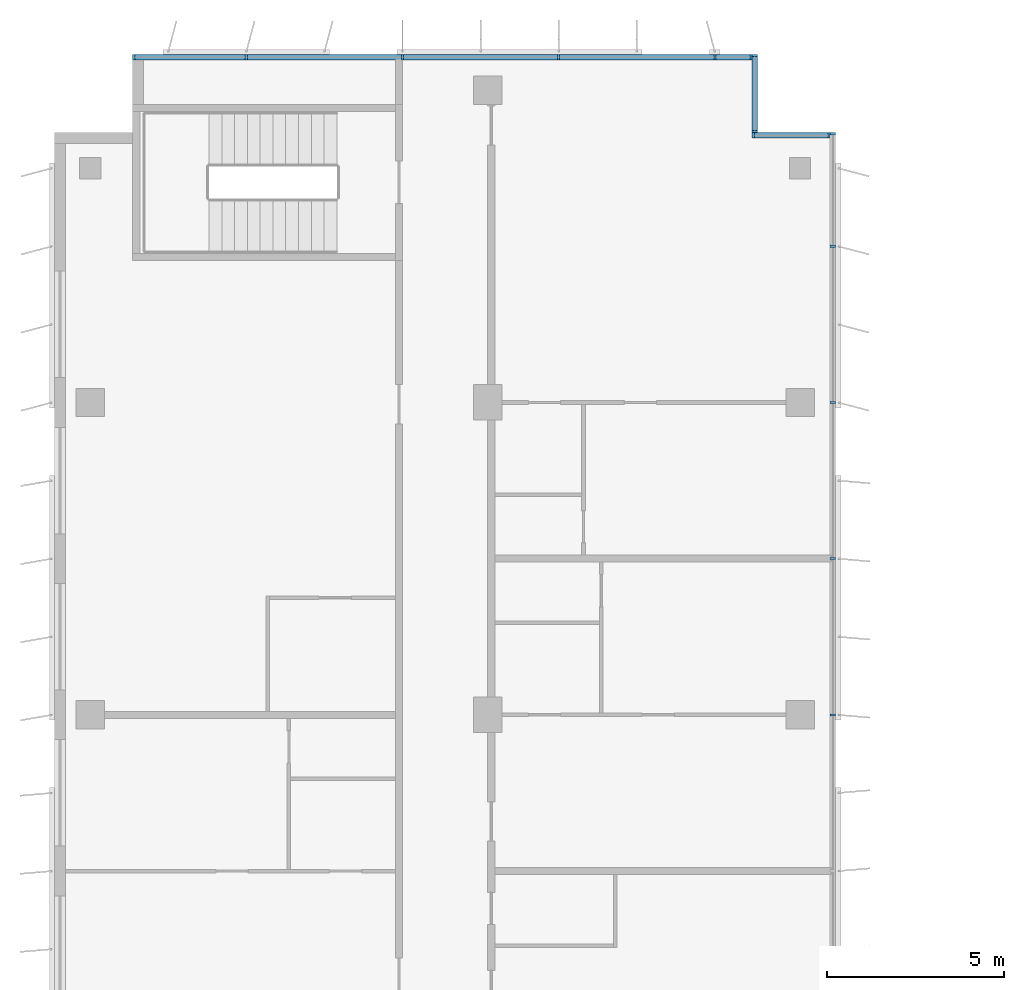
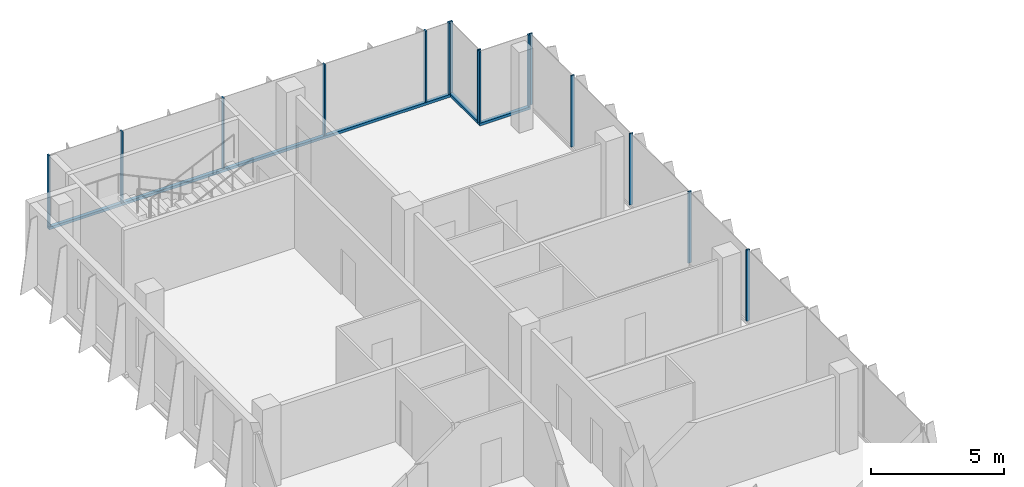
# One storey, part 6 of 16: 18 members, 4 elements without a shape of their own.
"""IFC4 building model written with IfcOpenShell, lengths in metres."""

from ifc_helpers import new_model, si_unit, direction, frame, origin, origin_2d, place, context, subcontext, project, spatial, rectangle, extrude, source, transform, mapped, material, material_profile, profile_set, type_object, element, aggregate, save


model = new_model("IFC4")

# Units and contexts
model_context = context("Model", 3, precision=1e-05, world=origin(), true_north=direction((0.0, 1.0)))
body_context = subcontext(model_context, "Body", "Model", "MODEL_VIEW")
ifc_project = project(units=[si_unit("LENGTHUNIT", "METRE"), si_unit("AREAUNIT", "SQUARE_METRE"), si_unit("VOLUMEUNIT", "CUBIC_METRE"), si_unit("PLANEANGLEUNIT", "RADIAN"), si_unit("MASSUNIT", "GRAM", prefix="KILO")], contexts=[model_context])

# Site, building, storey
site_placement = place(None, origin())
site = spatial("IfcSite", under=ifc_project, at=site_placement, CompositionType="ELEMENT")
building_placement = place(site_placement, origin())
building = spatial("IfcBuilding", under=site, at=building_placement, Name="Kemantara Hotel Tower", CompositionType="ELEMENT")
storey_placement = place(building_placement, frame((0.0, 0.0, 287.0)))
storey = spatial("IfcBuildingStorey", under=building, at=storey_placement, Name="L72", CompositionType="ELEMENT", Elevation=287.0)

# Curtain wall, member
ifc_material_1 = material(Name="Low-E tinted double insulated glass 36 mm", Category="glass")
curtain_wall_type = type_object("IfcCurtainWallType", Name="TOWER CURTAIN WALL, FRONT FACES", PredefinedType="USERDEFINED", material=ifc_material_1)
curtain_wall_1_placement = place(storey_placement, origin())
curtain_wall_1 = element("IfcCurtainWall", 1, at=curtain_wall_1_placement, inside=storey, type_object=curtain_wall_type, Name="CW4 L72 T4-R02-1", ObjectType="TOWER CURTAIN WALL, FRONT FACES", PredefinedType="USERDEFINED")
ifc_material_2 = material(Name="Aluminium 6063-T6 bronze anodised", Category="aluminium")
ifc_material_profile_1 = material_profile(ifc_material_2, rectangle(XDim=0.14990234375, YDim=0.1201171875, at=origin_2d()), Name="TOWER CURTAIN WALL, FRONT FACES TRANSOM")
ifc_profile_set_1 = profile_set([ifc_material_profile_1], Name="Aluminium 6063-T6 bronze anodised")
member_type_1 = type_object("IfcMemberType", Name="TOWER CURTAIN WALL, FRONT FACES TRANSOM", PredefinedType="USERDEFINED", material=ifc_profile_set_1)
member_1_placement = place(storey_placement, frame((19.64990234375, 63.52490234375, 0.06005859375), z_axis=(-1.0, 0.0, 0.0), x_axis=(0.0, -1.0, 0.0)))
member_1 = element("IfcMember", 2, at=member_1_placement, type_object=member_type_1, Name="CW4 sill transom T4-R02-1", ObjectType="TRANSOM", PredefinedType="USERDEFINED", context=body_context, shape_type="SweptSolid", body=[
    extrude(rectangle(XDim=0.14990234375, YDim=0.1201171875, at=origin_2d()), origin(), (0.0, 0.0, 1.0), 17.449951171875),
])

curtain_wall_2_placement = place(storey_placement, origin())
curtain_wall_2 = element("IfcCurtainWall", 3, at=curtain_wall_2_placement, inside=storey, type_object=curtain_wall_type, Name="CW4 L72 T4-R00-1", ObjectType="TOWER CURTAIN WALL, FRONT FACES", PredefinedType="USERDEFINED")
member_2_placement = place(storey_placement, frame((21.85009765625, 61.324951171875, 0.06005859375), z_axis=(-1.0, 0.0, 0.0), x_axis=(0.0, -1.0, 0.0)))
member_2 = element("IfcMember", 4, at=member_2_placement, type_object=member_type_1, Name="CW4 sill transom T4-R00-1", ObjectType="TRANSOM", PredefinedType="USERDEFINED", context=body_context, shape_type="SweptSolid", body=[
    extrude(rectangle(XDim=0.14990234375, YDim=0.1201171875, at=origin_2d()), origin(), (0.0, 0.0, 1.0), 2.2001953125),
])

curtain_wall_3_placement = place(storey_placement, origin())
curtain_wall_3 = element("IfcCurtainWall", 5, at=curtain_wall_3_placement, inside=storey, type_object=curtain_wall_type, Name="CW4 L72 T4-R01-1", ObjectType="TOWER CURTAIN WALL, FRONT FACES", PredefinedType="USERDEFINED")
member_3_placement = place(storey_placement, frame((19.72509765625, 61.39990234375, 0.06005859375), z_axis=(0.0, 1.0, 0.0), x_axis=(-1.0, 0.0, 0.0)))
member_3 = element("IfcMember", 6, at=member_3_placement, type_object=member_type_1, Name="CW4 sill transom T4-R01-1", ObjectType="TRANSOM", PredefinedType="USERDEFINED", context=body_context, shape_type="SweptSolid", body=[
    extrude(rectangle(XDim=0.14990234375, YDim=0.1201171875, at=origin_2d()), origin(), (0.0, 0.0, 1.0), 2.2001953125),
])

# Member
ifc_material_profile_2 = material_profile(ifc_material_2, rectangle(XDim=0.14990234375, YDim=0.06005859375, at=origin_2d()), Name="TOWER CURTAIN WALL, FRONT FACES MULLION")
ifc_profile_set_2 = profile_set([ifc_material_profile_2], Name="Aluminium 6063-T6 bronze anodised")
member_type_2 = type_object("IfcMemberType", Name="TOWER CURTAIN WALL, FRONT FACES MULLION", PredefinedType="MULLION", material=ifc_profile_set_2)
shared_shape = source(origin(), body_context, "Body", "SweptSolid", [
    extrude(rectangle(XDim=0.14990234375, YDim=0.06005859375, at=origin_2d()), origin(), (0.0, 0.0, 1.0), 3.27978515625),
])
member_4_placement = place(storey_placement, frame((19.6201171875, 63.52490234375, 0.1201171875), z_axis=(0.0, 0.0, 1.0), x_axis=(0.0, -1.0, 0.0)))
member_4 = element("IfcMember", 7, at=member_4_placement, type_object=member_type_2, Name="CW4 mullion T4-R02-1.1", PredefinedType="MULLION", context=body_context, shape_type="MappedRepresentation", body=[
    mapped(shared_shape, transform((0.0, 0.0, 0.0))),
])

member_5_placement = place(storey_placement, frame((18.60009765625, 63.52490234375, 0.1201171875), z_axis=(0.0, 0.0, 1.0), x_axis=(0.0, -1.0, 0.0)))
member_5 = element("IfcMember", 8, at=member_5_placement, type_object=member_type_2, Name="CW4 mullion T4-R02-1.2", PredefinedType="MULLION", context=body_context, shape_type="MappedRepresentation", body=[
    mapped(shared_shape, transform((0.0, 0.0, 0.0))),
])

member_6_placement = place(storey_placement, frame((14.199951171875, 63.52490234375, 0.1201171875), z_axis=(0.0, 0.0, 1.0), x_axis=(0.0, -1.0, 0.0)))
member_6 = element("IfcMember", 9, at=member_6_placement, type_object=member_type_2, Name="CW4 mullion T4-R02-1.3", PredefinedType="MULLION", context=body_context, shape_type="MappedRepresentation", body=[
    mapped(shared_shape, transform((0.0, 0.0, 0.0))),
])

member_7_placement = place(storey_placement, frame((9.800048828125, 63.52490234375, 0.1201171875), z_axis=(0.0, 0.0, 1.0), x_axis=(0.0, -1.0, 0.0)))
member_7 = element("IfcMember", 10, at=member_7_placement, type_object=member_type_2, Name="CW4 mullion T4-R02-1.4", PredefinedType="MULLION", context=body_context, shape_type="MappedRepresentation", body=[
    mapped(shared_shape, transform((0.0, 0.0, 0.0))),
])

member_8_placement = place(storey_placement, frame((5.39990234375, 63.52490234375, 0.1201171875), z_axis=(0.0, 0.0, 1.0), x_axis=(0.0, -1.0, 0.0)))
member_8 = element("IfcMember", 11, at=member_8_placement, type_object=member_type_2, Name="CW4 mullion T4-R02-1.5", PredefinedType="MULLION", context=body_context, shape_type="MappedRepresentation", body=[
    mapped(shared_shape, transform((0.0, 0.0, 0.0))),
])

member_9_placement = place(storey_placement, frame((2.22998046875, 63.52490234375, 0.1201171875), z_axis=(0.0, 0.0, 1.0), x_axis=(0.0, -1.0, 0.0)))
member_9 = element("IfcMember", 12, at=member_9_placement, type_object=member_type_2, Name="CW4 mullion T4-R02-1.6", PredefinedType="MULLION", context=body_context, shape_type="MappedRepresentation", body=[
    mapped(shared_shape, transform((0.0, 0.0, 0.0))),
])

aggregate(curtain_wall_1, [member_1, member_4, member_5, member_6, member_7, member_8, member_9])

# Curtain wall, members
curtain_wall_4_placement = place(storey_placement, origin())
curtain_wall_4 = element("IfcCurtainWall", 13, at=curtain_wall_4_placement, inside=storey, type_object=curtain_wall_type, Name="CW4 L72 T4-R15-1", ObjectType="TOWER CURTAIN WALL, FRONT FACES", PredefinedType="USERDEFINED")
member_10_placement = place(storey_placement, frame((21.925048828125, 45.0, 0.1201171875), z_axis=(0.0, 0.0, 1.0), x_axis=(-1.0, 0.0, 0.0)))
member_10 = element("IfcMember", 14, at=member_10_placement, type_object=member_type_2, Name="CW4 mullion T4-R15-1.6", PredefinedType="MULLION", context=body_context, shape_type="MappedRepresentation", body=[
    mapped(shared_shape, transform((0.0, 0.0, 0.0))),
])
member_11_placement = place(storey_placement, frame((21.925048828125, 49.39990234375, 0.1201171875), z_axis=(0.0, 0.0, 1.0), x_axis=(-1.0, 0.0, 0.0)))
member_11 = element("IfcMember", 15, at=member_11_placement, type_object=member_type_2, Name="CW4 mullion T4-R15-1.7", PredefinedType="MULLION", context=body_context, shape_type="MappedRepresentation", body=[
    mapped(shared_shape, transform((0.0, 0.0, 0.0))),
])
member_12_placement = place(storey_placement, frame((21.925048828125, 53.800048828125, 0.1201171875), z_axis=(0.0, 0.0, 1.0), x_axis=(-1.0, 0.0, 0.0)))
member_12 = element("IfcMember", 16, at=member_12_placement, type_object=member_type_2, Name="CW4 mullion T4-R15-1.8", PredefinedType="MULLION", context=body_context, shape_type="MappedRepresentation", body=[
    mapped(shared_shape, transform((0.0, 0.0, 0.0))),
])
member_13_placement = place(storey_placement, frame((21.925048828125, 58.199951171875, 0.1201171875), z_axis=(0.0, 0.0, 1.0), x_axis=(-1.0, 0.0, 0.0)))
member_13 = element("IfcMember", 17, at=member_13_placement, type_object=member_type_2, Name="CW4 mullion T4-R15-1.9", PredefinedType="MULLION", context=body_context, shape_type="MappedRepresentation", body=[
    mapped(shared_shape, transform((0.0, 0.0, 0.0))),
])
member_14_placement = place(storey_placement, frame((21.925048828125, 61.3701171875, 0.1201171875), z_axis=(0.0, 0.0, 1.0), x_axis=(-1.0, 0.0, 0.0)))
member_14 = element("IfcMember", 18, at=member_14_placement, type_object=member_type_2, Name="CW4 mullion T4-R15-1.10", PredefinedType="MULLION", context=body_context, shape_type="MappedRepresentation", body=[
    mapped(shared_shape, transform((0.0, 0.0, 0.0))),
])
aggregate(curtain_wall_4, [member_10, member_11, member_12, member_13, member_14])

# Member
member_15_placement = place(storey_placement, frame((21.820068359375, 61.324951171875, 0.1201171875), z_axis=(0.0, 0.0, 1.0), x_axis=(0.0, -1.0, 0.0)))
member_15 = element("IfcMember", 19, at=member_15_placement, type_object=member_type_2, Name="CW4 mullion T4-R00-1.1", PredefinedType="MULLION", context=body_context, shape_type="MappedRepresentation", body=[
    mapped(shared_shape, transform((0.0, 0.0, 0.0))),
])

member_16_placement = place(storey_placement, frame((19.679931640625, 61.324951171875, 0.1201171875), z_axis=(0.0, 0.0, 1.0), x_axis=(0.0, -1.0, 0.0)))
member_16 = element("IfcMember", 20, at=member_16_placement, type_object=member_type_2, Name="CW4 mullion T4-R00-1.2", PredefinedType="MULLION", context=body_context, shape_type="MappedRepresentation", body=[
    mapped(shared_shape, transform((0.0, 0.0, 0.0))),
])

aggregate(curtain_wall_2, [member_2, member_15, member_16])

member_17_placement = place(storey_placement, frame((19.72509765625, 61.429931640625, 0.1201171875), z_axis=(0.0, 0.0, 1.0), x_axis=(-1.0, 0.0, 0.0)))
member_17 = element("IfcMember", 21, at=member_17_placement, type_object=member_type_2, Name="CW4 mullion T4-R01-1.1", PredefinedType="MULLION", context=body_context, shape_type="MappedRepresentation", body=[
    mapped(shared_shape, transform((0.0, 0.0, 0.0))),
])

member_18_placement = place(storey_placement, frame((19.72509765625, 63.570068359375, 0.1201171875), z_axis=(0.0, 0.0, 1.0), x_axis=(-1.0, 0.0, 0.0)))
member_18 = element("IfcMember", 22, at=member_18_placement, type_object=member_type_2, Name="CW4 mullion T4-R01-1.2", PredefinedType="MULLION", context=body_context, shape_type="MappedRepresentation", body=[
    mapped(shared_shape, transform((0.0, 0.0, 0.0))),
])

aggregate(curtain_wall_3, [member_3, member_17, member_18])

save(model, "model.ifc")
